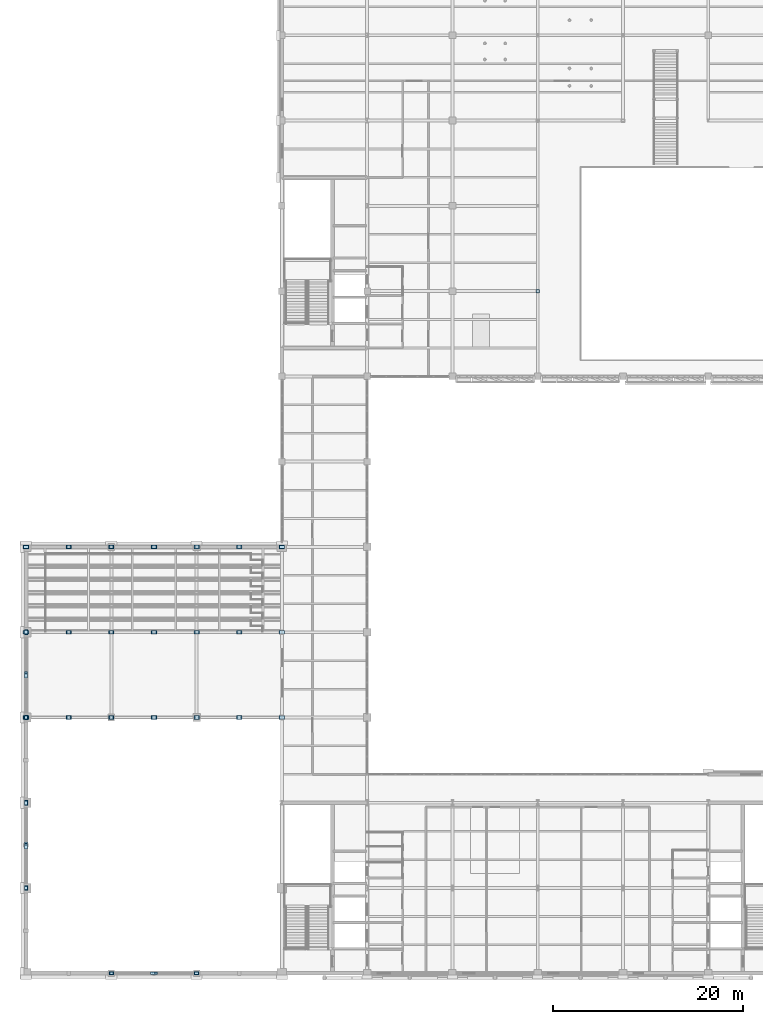
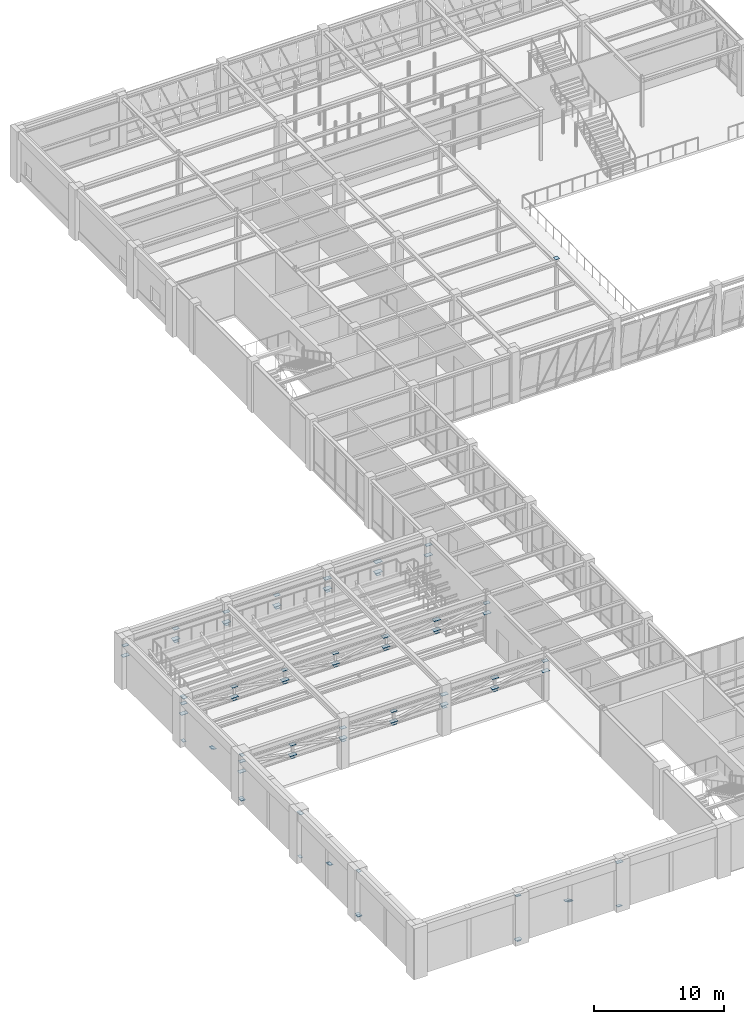
# One storey, part 76 of 92: 82 plates.
"""IFC4 building model written with IfcOpenShell, lengths in metres."""

from ifc_helpers import new_model, si_unit, direction, frame, origin, origin_2d, place, context, subcontext, project, spatial, rectangle, extrude, material, layer, layer_set, type_object, element, save


model = new_model("IFC4")

# Units and contexts
model_context = context("Model", 3, precision=1e-05, world=origin(), true_north=direction((0.0, 1.0)))
body_context = subcontext(model_context, "Body", "Model", "MODEL_VIEW")
ifc_project = project(units=[si_unit("LENGTHUNIT", "METRE"), si_unit("AREAUNIT", "SQUARE_METRE"), si_unit("VOLUMEUNIT", "CUBIC_METRE"), si_unit("PLANEANGLEUNIT", "RADIAN"), si_unit("MASSUNIT", "GRAM", prefix="KILO")], contexts=[model_context])

# Site, building, storey
site_placement = place(None, origin())
site = spatial("IfcSite", under=ifc_project, at=site_placement, CompositionType="ELEMENT")
building_placement = place(site_placement, origin())
building = spatial("IfcBuilding", under=site, at=building_placement, Name="Lykobir Media Centre", CompositionType="ELEMENT")
storey_placement = place(building_placement, frame((0.0, 0.0, 5.39990234375)))
storey = spatial("IfcBuildingStorey", under=building, at=storey_placement, Name="L01", CompositionType="ELEMENT", Elevation=5.39990234375)

# Plates
ifc_material = material(Name="Steel S355", Category="steel")
ifc_layer_1 = layer(ifc_material, 0.01611328125, Name="Steel S355")
ifc_layer_set_1 = layer_set([ifc_layer_1], Name="Steel S355")
plate_type_1 = type_object("IfcPlateType", Name="CP-280", PredefinedType="SHEET", material=ifc_layer_set_1)
for number, where, z_axis, x_axis, name in (
    (1, (0.0, 9.0, 0.001953125), (0.0, 0.0, 1.0), (0.0, 1.0, 0.0), "Structural plate PLT-L01-0000-0090-0054"),
    (2, (0.0, 27.0, 0.001953125), (0.0, 0.0, 1.0), (0.0, 1.0, 0.0), "Structural plate PLT-L01-0000-0270-0054"),
    (3, (9.0, 0.0, 0.001953125), (0.0, 0.0, 1.0), (1.0, 0.0, 0.0), "Structural plate PLT-L01-0090-0000-0054"),
):
    element("IfcPlate", number, at=place(storey_placement, frame(where, z_axis=z_axis, x_axis=x_axis)), inside=storey, type_object=plate_type_1, Name=name, PredefinedType="SHEET", context=body_context, shape_type="SweptSolid", body=[
        extrude(rectangle(XDim=0.300048828125, YDim=0.300048828125, at=origin_2d()), origin(), (0.0, 0.0, 1.0), 0.01611328125),
    ])
ifc_layer_2 = layer(ifc_material, 0.02197265625, Name="Steel S355")
ifc_layer_set_2 = layer_set([ifc_layer_2], Name="Steel S355")
plate_type_2 = type_object("IfcPlateType", Name="CP-360", PredefinedType="SHEET", material=ifc_layer_set_2)
for number, where, z_axis, x_axis, name in (
    (4, (54.0, 72.0, 4.800048828125), (0.0, 0.0, 1.0), (1.0, 0.0, 0.0), "Structural plate PLT-L01-0540-0720-0102"),
    (5, (4.5, 27.0, 2.44921875), (0.0, 0.0, 1.0), (1.0, 0.0, 0.0), "Structural plate PLT-L01-0045-0270-0079"),
    (6, (9.0, 27.0, 2.44921875), (0.0, 0.0, 1.0), (1.0, 0.0, 0.0), "Structural plate PLT-L01-0090-0270-0079"),
    (7, (13.5, 27.0, 2.44921875), (0.0, 0.0, 1.0), (1.0, 0.0, 0.0), "Structural plate PLT-L01-0135-0270-0079"),
    (8, (18.0, 27.0, 2.44921875), (0.0, 0.0, 1.0), (1.0, 0.0, 0.0), "Structural plate PLT-L01-0180-0270-0079"),
    (9, (22.5, 27.0, 2.44921875), (0.0, 0.0, 1.0), (1.0, 0.0, 0.0), "Structural plate PLT-L01-0225-0270-0079"),
    (10, (4.5, 36.0, 2.44921875), (0.0, 0.0, 1.0), (1.0, 0.0, 0.0), "Structural plate PLT-L01-0045-0360-0079"),
    (11, (9.0, 36.0, 2.44921875), (0.0, 0.0, 1.0), (1.0, 0.0, 0.0), "Structural plate PLT-L01-0090-0360-0079"),
    (12, (13.5, 36.0, 2.44921875), (0.0, 0.0, 1.0), (1.0, 0.0, 0.0), "Structural plate PLT-L01-0135-0360-0079"),
    (13, (18.0, 36.0, 2.44921875), (0.0, 0.0, 1.0), (1.0, 0.0, 0.0), "Structural plate PLT-L01-0180-0360-0079"),
    (14, (22.5, 36.0, 2.44921875), (0.0, 0.0, 1.0), (1.0, 0.0, 0.0), "Structural plate PLT-L01-0225-0360-0079"),
    (15, (4.5, 45.0, 2.44921875), (0.0, 0.0, 1.0), (1.0, 0.0, 0.0), "Structural plate PLT-L01-0045-0450-0079"),
    (16, (9.0, 45.0, 2.44921875), (0.0, 0.0, 1.0), (1.0, 0.0, 0.0), "Structural plate PLT-L01-0090-0450-0079"),
    (17, (13.5, 45.0, 2.44921875), (0.0, 0.0, 1.0), (1.0, 0.0, 0.0), "Structural plate PLT-L01-0135-0450-0079"),
    (18, (18.0, 45.0, 2.44921875), (0.0, 0.0, 1.0), (1.0, 0.0, 0.0), "Structural plate PLT-L01-0180-0450-0079"),
    (19, (22.5, 45.0, 2.44921875), (0.0, 0.0, 1.0), (1.0, 0.0, 0.0), "Structural plate PLT-L01-0225-0450-0079"),
):
    element("IfcPlate", number, at=place(storey_placement, frame(where, z_axis=z_axis, x_axis=x_axis)), inside=storey, type_object=plate_type_2, Name=name, PredefinedType="SHEET", context=body_context, shape_type="SweptSolid", body=[
        extrude(rectangle(XDim=0.3798828125, YDim=0.3798828125, at=origin_2d()), origin(), (0.0, 0.0, 1.0), 0.02197265625),
    ])
ifc_layer_3 = layer(ifc_material, 0.02001953125, Name="Steel S355")
ifc_layer_set_3 = layer_set([ifc_layer_3], Name="Steel S355")
plate_type_3 = type_object("IfcPlateType", Name="GP-420", PredefinedType="USERDEFINED", material=ifc_layer_set_3)
for number, where, z_axis, x_axis, name in (
    (20, (0.0, 13.5, 2.170166015625), (0.0, 0.0, 1.0), (0.0, 1.0, 0.0), "Structural plate PLT-L01-0000-0135-0076"),
    (21, (0.0, 18.0, 0.110107421875), (0.0, 0.0, 1.0), (0.0, 1.0, 0.0), "Structural plate PLT-L01-0000-0180-0055"),
    (22, (0.0, 13.6455078125, 2.103515625), (0.0, 0.0, 1.0), (0.0, 1.0, 0.0), "Structural plate PLT-L01-0000-0136-0075"),
    (23, (0.0, 13.3544921875, 2.236572265625), (0.0, 0.0, 1.0), (0.0, 1.0, 0.0), "Structural plate PLT-L01-0000-0134-0076"),
    (24, (0.0, 9.0, 4.22998046875), (0.0, 0.0, 1.0), (0.0, 1.0, 0.0), "Structural plate PLT-L01-0000-0090-0096"),
    (25, (0.0, 31.5, 2.170166015625), (0.0, 0.0, 1.0), (0.0, 1.0, 0.0), "Structural plate PLT-L01-0000-0315-0076"),
    (26, (0.0, 36.0, 0.110107421875), (0.0, 0.0, 1.0), (0.0, 1.0, 0.0), "Structural plate PLT-L01-0000-0360-0055"),
    (27, (0.0, 31.6455078125, 2.103515625), (0.0, 0.0, 1.0), (0.0, 1.0, 0.0), "Structural plate PLT-L01-0000-0316-0075"),
    (28, (0.0, 31.3544921875, 2.236572265625), (0.0, 0.0, 1.0), (0.0, 1.0, 0.0), "Structural plate PLT-L01-0000-0314-0076"),
    (29, (0.0, 27.0, 4.22998046875), (0.0, 0.0, 1.0), (0.0, 1.0, 0.0), "Structural plate PLT-L01-0000-0270-0096"),
    (30, (13.5, 0.0, 2.170166015625), (0.0, 0.0, 1.0), (1.0, 0.0, 0.0), "Structural plate PLT-L01-0135-0000-0076"),
    (31, (18.0, 0.0, 0.110107421875), (0.0, 0.0, 1.0), (1.0, 0.0, 0.0), "Structural plate PLT-L01-0180-0000-0055"),
    (32, (13.6455078125, 0.0, 2.103515625), (0.0, 0.0, 1.0), (1.0, 0.0, 0.0), "Structural plate PLT-L01-0136-0000-0075"),
    (33, (13.3544921875, 0.0, 2.236572265625), (0.0, 0.0, 1.0), (1.0, 0.0, 0.0), "Structural plate PLT-L01-0134-0000-0076"),
    (34, (9.0, 0.0, 4.22998046875), (0.0, 0.0, 1.0), (1.0, 0.0, 0.0), "Structural plate PLT-L01-0090-0000-0096"),
):
    element("IfcPlate", number, at=place(storey_placement, frame(where, z_axis=z_axis, x_axis=x_axis)), inside=storey, type_object=plate_type_3, Name=name, ObjectType="GUSSET_PLATE", PredefinedType="USERDEFINED", context=body_context, shape_type="SweptSolid", body=[
        extrude(rectangle(XDim=0.419921875, YDim=0.280029296875, at=origin_2d()), origin(), (0.0, 0.0, 1.0), 0.02001953125),
    ])
ifc_layer_4 = layer(ifc_material, 0.02587890625, Name="Steel S355")
ifc_layer_set_4 = layer_set([ifc_layer_4], Name="Steel S355")
plate_type_4 = type_object("IfcPlateType", Name="GP-500", PredefinedType="USERDEFINED", material=ifc_layer_set_4)
for number, where, z_axis, x_axis, name in (
    (35, (0.0, 27.0, 3.63720703125), (0.0, 0.0, 1.0), (1.0, 0.0, 0.0), "Structural plate PLT-L01-0000-0270-0090"),
    (36, (27.0, 27.0, 3.63720703125), (0.0, 0.0, 1.0), (1.0, 0.0, 0.0), "Structural plate PLT-L01-0270-0270-0090"),
    (37, (4.5, 27.0, 3.63720703125), (0.0, 0.0, 1.0), (1.0, 0.0, 0.0), "Structural plate PLT-L01-0045-0270-0090"),
    (38, (9.0, 27.0, 3.63720703125), (0.0, 0.0, 1.0), (1.0, 0.0, 0.0), "Structural plate PLT-L01-0090-0270-0090"),
    (39, (13.5, 27.0, 3.63720703125), (0.0, 0.0, 1.0), (1.0, 0.0, 0.0), "Structural plate PLT-L01-0135-0270-0090"),
    (40, (0.0, 36.0, 3.63720703125), (0.0, 0.0, 1.0), (1.0, 0.0, 0.0), "Structural plate PLT-L01-0000-0360-0090"),
    (41, (27.0, 36.0, 3.63720703125), (0.0, 0.0, 1.0), (1.0, 0.0, 0.0), "Structural plate PLT-L01-0270-0360-0090"),
    (42, (4.5, 36.0, 3.63720703125), (0.0, 0.0, 1.0), (1.0, 0.0, 0.0), "Structural plate PLT-L01-0045-0360-0090"),
    (43, (9.0, 36.0, 3.63720703125), (0.0, 0.0, 1.0), (1.0, 0.0, 0.0), "Structural plate PLT-L01-0090-0360-0090"),
    (44, (13.5, 36.0, 3.63720703125), (0.0, 0.0, 1.0), (1.0, 0.0, 0.0), "Structural plate PLT-L01-0135-0360-0090"),
    (45, (0.0, 45.0, 3.63720703125), (0.0, 0.0, 1.0), (1.0, 0.0, 0.0), "Structural plate PLT-L01-0000-0450-0090"),
    (46, (27.0, 45.0, 3.63720703125), (0.0, 0.0, 1.0), (1.0, 0.0, 0.0), "Structural plate PLT-L01-0270-0450-0090"),
    (47, (4.5, 45.0, 3.63720703125), (0.0, 0.0, 1.0), (1.0, 0.0, 0.0), "Structural plate PLT-L01-0045-0450-0090"),
    (48, (9.0, 45.0, 3.63720703125), (0.0, 0.0, 1.0), (1.0, 0.0, 0.0), "Structural plate PLT-L01-0090-0450-0090"),
    (49, (13.5, 45.0, 3.63720703125), (0.0, 0.0, 1.0), (1.0, 0.0, 0.0), "Structural plate PLT-L01-0135-0450-0090"),
):
    element("IfcPlate", number, at=place(storey_placement, frame(where, z_axis=z_axis, x_axis=x_axis)), inside=storey, type_object=plate_type_4, Name=name, ObjectType="GUSSET_PLATE", PredefinedType="USERDEFINED", context=body_context, shape_type="SweptSolid", body=[
        extrude(rectangle(XDim=0.5, YDim=0.340087890625, at=origin_2d()), origin(), (0.0, 0.0, 1.0), 0.02587890625),
    ])
ifc_layer_5 = layer(ifc_material, 0.028076171875, Name="Steel S355")
ifc_layer_set_5 = layer_set([ifc_layer_5], Name="Steel S355")
plate_type_5 = type_object("IfcPlateType", Name="GP-540", PredefinedType="USERDEFINED", material=ifc_layer_set_5)
for number, where, z_axis, x_axis, name in (
    (50, (0.0, 9.0, 0.10595703125), (0.0, 0.0, 1.0), (0.0, 1.0, 0.0), "Structural plate PLT-L01-0000-0090-0055"),
    (51, (0.0, 18.0, 4.22607421875), (0.0, 0.0, 1.0), (0.0, 1.0, 0.0), "Structural plate PLT-L01-0000-0180-0096"),
    (52, (0.0, 27.0, 0.10595703125), (0.0, 0.0, 1.0), (0.0, 1.0, 0.0), "Structural plate PLT-L01-0000-0270-0055"),
    (53, (0.0, 36.0, 4.22607421875), (0.0, 0.0, 1.0), (0.0, 1.0, 0.0), "Structural plate PLT-L01-0000-0360-0096"),
    (54, (9.0, 0.0, 0.10595703125), (0.0, 0.0, 1.0), (1.0, 0.0, 0.0), "Structural plate PLT-L01-0090-0000-0055"),
    (55, (18.0, 0.0, 4.22607421875), (0.0, 0.0, 1.0), (1.0, 0.0, 0.0), "Structural plate PLT-L01-0180-0000-0096"),
):
    element("IfcPlate", number, at=place(storey_placement, frame(where, z_axis=z_axis, x_axis=x_axis)), inside=storey, type_object=plate_type_5, Name=name, ObjectType="GUSSET_PLATE", PredefinedType="USERDEFINED", context=body_context, shape_type="SweptSolid", body=[
        extrude(rectangle(XDim=0.5400390625, YDim=0.360107421875, at=origin_2d()), origin(), (0.0, 0.0, 1.0), 0.028076171875),
    ])
ifc_layer_6 = layer(ifc_material, 0.031982421875, Name="Steel S355")
ifc_layer_set_6 = layer_set([ifc_layer_6], Name="Steel S355")
plate_type_6 = type_object("IfcPlateType", Name="GP-600", PredefinedType="USERDEFINED", material=ifc_layer_set_6)
for number, where, z_axis, x_axis, name in (
    (56, (0.0, 27.0, 2.68408203125), (0.0, 0.0, 1.0), (1.0, 0.0, 0.0), "Structural plate PLT-L01-0000-0270-0081"),
    (57, (4.5, 27.0, 2.68408203125), (0.0, 0.0, 1.0), (1.0, 0.0, 0.0), "Structural plate PLT-L01-0045-0270-0081"),
    (58, (9.0, 27.0, 2.68408203125), (0.0, 0.0, 1.0), (1.0, 0.0, 0.0), "Structural plate PLT-L01-0090-0270-0081"),
    (59, (13.5, 27.0, 2.68408203125), (0.0, 0.0, 1.0), (1.0, 0.0, 0.0), "Structural plate PLT-L01-0135-0270-0081"),
    (60, (18.0, 27.0, 3.63427734375), (0.0, 0.0, 1.0), (1.0, 0.0, 0.0), "Structural plate PLT-L01-0180-0270-0090"),
    (61, (18.0, 27.0, 2.68408203125), (0.0, 0.0, 1.0), (1.0, 0.0, 0.0), "Structural plate PLT-L01-0180-0270-0081"),
    (62, (22.5, 27.0, 3.63427734375), (0.0, 0.0, 1.0), (1.0, 0.0, 0.0), "Structural plate PLT-L01-0225-0270-0090"),
    (63, (22.5, 27.0, 2.68408203125), (0.0, 0.0, 1.0), (1.0, 0.0, 0.0), "Structural plate PLT-L01-0225-0270-0081"),
    (64, (27.0, 27.0, 2.68408203125), (0.0, 0.0, 1.0), (1.0, 0.0, 0.0), "Structural plate PLT-L01-0270-0270-0081"),
    (65, (0.0, 36.0, 2.68408203125), (0.0, 0.0, 1.0), (1.0, 0.0, 0.0), "Structural plate PLT-L01-0000-0360-0081"),
    (66, (4.5, 36.0, 2.68408203125), (0.0, 0.0, 1.0), (1.0, 0.0, 0.0), "Structural plate PLT-L01-0045-0360-0081"),
    (67, (9.0, 36.0, 2.68408203125), (0.0, 0.0, 1.0), (1.0, 0.0, 0.0), "Structural plate PLT-L01-0090-0360-0081"),
    (68, (13.5, 36.0, 2.68408203125), (0.0, 0.0, 1.0), (1.0, 0.0, 0.0), "Structural plate PLT-L01-0135-0360-0081"),
    (69, (18.0, 36.0, 3.63427734375), (0.0, 0.0, 1.0), (1.0, 0.0, 0.0), "Structural plate PLT-L01-0180-0360-0090"),
    (70, (18.0, 36.0, 2.68408203125), (0.0, 0.0, 1.0), (1.0, 0.0, 0.0), "Structural plate PLT-L01-0180-0360-0081"),
    (71, (22.5, 36.0, 3.63427734375), (0.0, 0.0, 1.0), (1.0, 0.0, 0.0), "Structural plate PLT-L01-0225-0360-0090"),
    (72, (22.5, 36.0, 2.68408203125), (0.0, 0.0, 1.0), (1.0, 0.0, 0.0), "Structural plate PLT-L01-0225-0360-0081"),
    (73, (27.0, 36.0, 2.68408203125), (0.0, 0.0, 1.0), (1.0, 0.0, 0.0), "Structural plate PLT-L01-0270-0360-0081"),
    (74, (0.0, 45.0, 2.68408203125), (0.0, 0.0, 1.0), (1.0, 0.0, 0.0), "Structural plate PLT-L01-0000-0450-0081"),
    (75, (4.5, 45.0, 2.68408203125), (0.0, 0.0, 1.0), (1.0, 0.0, 0.0), "Structural plate PLT-L01-0045-0450-0081"),
    (76, (9.0, 45.0, 2.68408203125), (0.0, 0.0, 1.0), (1.0, 0.0, 0.0), "Structural plate PLT-L01-0090-0450-0081"),
    (77, (13.5, 45.0, 2.68408203125), (0.0, 0.0, 1.0), (1.0, 0.0, 0.0), "Structural plate PLT-L01-0135-0450-0081"),
    (78, (18.0, 45.0, 3.63427734375), (0.0, 0.0, 1.0), (1.0, 0.0, 0.0), "Structural plate PLT-L01-0180-0450-0090"),
    (79, (18.0, 45.0, 2.68408203125), (0.0, 0.0, 1.0), (1.0, 0.0, 0.0), "Structural plate PLT-L01-0180-0450-0081"),
    (80, (22.5, 45.0, 3.63427734375), (0.0, 0.0, 1.0), (1.0, 0.0, 0.0), "Structural plate PLT-L01-0225-0450-0090"),
    (81, (22.5, 45.0, 2.68408203125), (0.0, 0.0, 1.0), (1.0, 0.0, 0.0), "Structural plate PLT-L01-0225-0450-0081"),
    (82, (27.0, 45.0, 2.68408203125), (0.0, 0.0, 1.0), (1.0, 0.0, 0.0), "Structural plate PLT-L01-0270-0450-0081"),
):
    element("IfcPlate", number, at=place(storey_placement, frame(where, z_axis=z_axis, x_axis=x_axis)), inside=storey, type_object=plate_type_6, Name=name, ObjectType="GUSSET_PLATE", PredefinedType="USERDEFINED", context=body_context, shape_type="SweptSolid", body=[
        extrude(rectangle(XDim=0.60009765625, YDim=0.39990234375, at=origin_2d()), origin(), (0.0, 0.0, 1.0), 0.031982421875),
    ])

save(model, "model.ifc")
